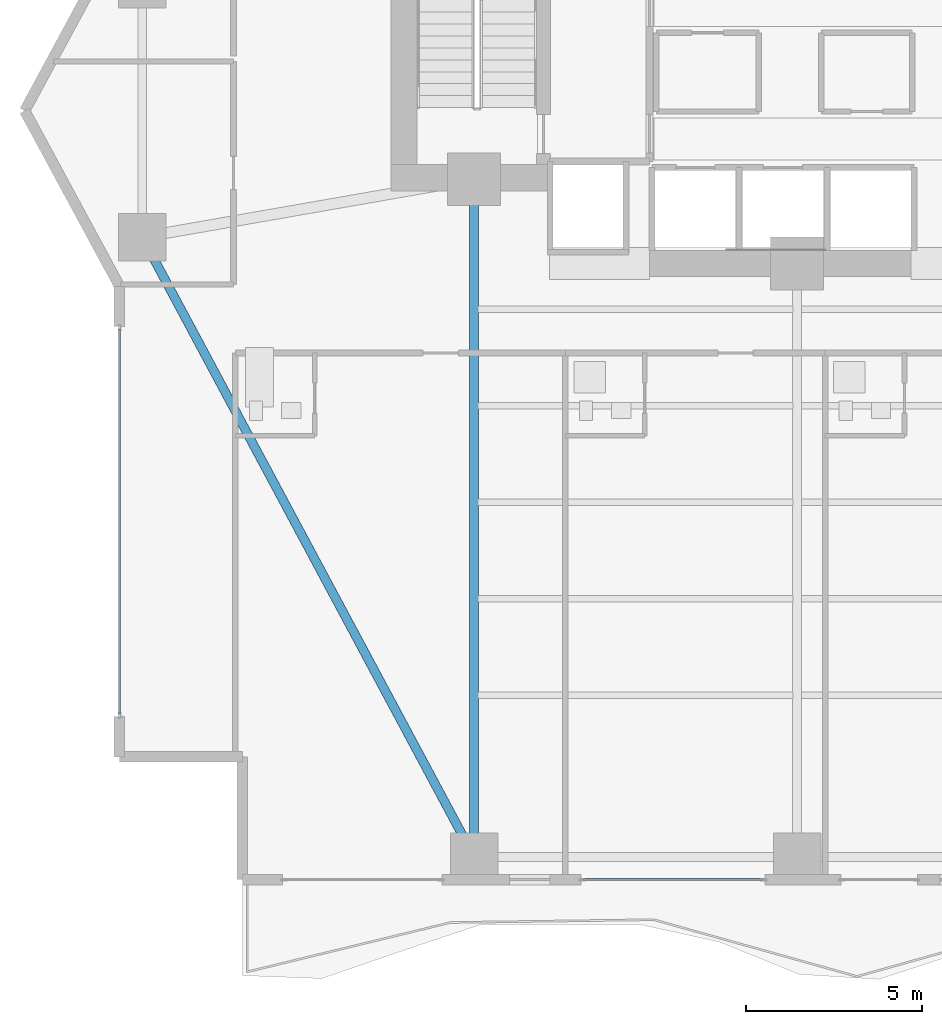
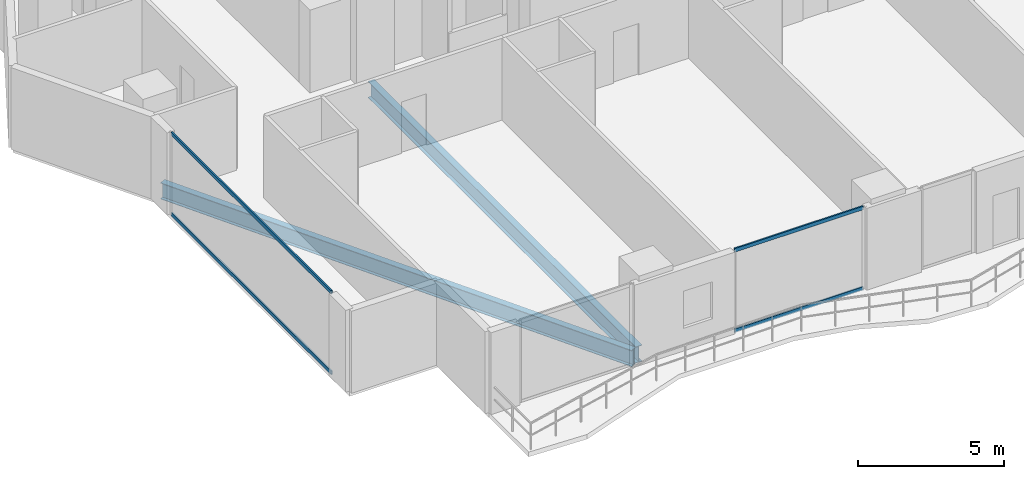
# One storey, part 3 of 27: 4 members, 2 beams, 2 elements without a shape of their own.
"""IFC4 building model written with IfcOpenShell, lengths in metres."""

from ifc_helpers import new_model, si_unit, direction, frame, origin, origin_2d, place, context, subcontext, project, spatial, hollow_rectangle, i_section, extrude, material, layer, layer_set, material_profile, profile_set, type_object, element, aggregate, save


model = new_model("IFC4")

# Units and contexts
model_context = context("Model", 3, precision=1e-05, world=origin(), true_north=direction((0.0, 1.0)))
body_context = subcontext(model_context, "Body", "Model", "MODEL_VIEW")
ifc_project = project(units=[si_unit("LENGTHUNIT", "METRE"), si_unit("AREAUNIT", "SQUARE_METRE"), si_unit("VOLUMEUNIT", "CUBIC_METRE"), si_unit("PLANEANGLEUNIT", "RADIAN"), si_unit("MASSUNIT", "GRAM", prefix="KILO")], contexts=[model_context])

# Site, building, storey
site_placement = place(None, origin())
site = spatial("IfcSite", under=ifc_project, at=site_placement, CompositionType="ELEMENT")
building_placement = place(site_placement, origin())
building = spatial("IfcBuilding", under=site, at=building_placement, Name="Zuhayl Quay Hotel", CompositionType="ELEMENT")
storey_placement = place(building_placement, frame((0.0, 0.0, 102.949951171875)))
storey = spatial("IfcBuildingStorey", under=building, at=storey_placement, Name="L25", CompositionType="ELEMENT", Elevation=102.949951171875)

# Beams
ifc_material_1 = material(Name="Steel ASTM A992 Grade 50", Category="steel")
ifc_material_profile_1 = material_profile(ifc_material_1, i_section(OverallWidth=0.25390625, OverallDepth=0.68310546875, WebThickness=0.012451171875, FlangeThickness=0.018798828125, at=origin_2d()), Name="W27X94")
ifc_profile_set_1 = profile_set([ifc_material_profile_1], Name="Steel ASTM A992 Grade 50")
beam_type = type_object("IfcBeamType", Name="BM_B2_W27X94", PredefinedType="BEAM", material=ifc_profile_set_1)
beam_1_placement = place(storey_placement, frame((-23.013916015625, 2.459228515625, -0.5615234375), z_axis=(0.472017301959, -0.88158928456, 0.0), x_axis=(0.88158928456, 0.472017301959, 0.0)))
element("IfcBeam", 1, at=beam_1_placement, inside=storey, type_object=beam_type, Name="L25 Floor Beam RG_L25_12", PredefinedType="BEAM", context=body_context, shape_type="SweptSolid", body=[
    extrude(i_section(OverallWidth=0.25390625, OverallDepth=0.68310546875, WebThickness=0.012451171875, FlangeThickness=0.018798828125, at=origin_2d()), origin(), (0.0, 0.0, 1.0), 19.0205078125),
])
beam_2_placement = place(storey_placement, frame((-13.800048828125, -14.25, -0.5615234375), z_axis=(0.0, 1.0, 0.0), x_axis=(-1.0, 0.0, 0.0)))
element("IfcBeam", 2, at=beam_2_placement, inside=storey, type_object=beam_type, Name="L25 Floor Beam FG_S_L25_1", PredefinedType="BEAM", context=body_context, shape_type="SweptSolid", body=[
    extrude(i_section(OverallWidth=0.25390625, OverallDepth=0.68310546875, WebThickness=0.012451171875, FlangeThickness=0.018798828125, at=origin_2d()), origin(), (0.0, 0.0, 1.0), 18.35009765625),
])

# Curtain wall, members
ifc_material_2 = material(Name="Anodised Aluminium 6063-T6", Category="aluminium")
ifc_layer = layer(ifc_material_2, 0.179931640625, Name="Anodised Aluminium 6063-T6", Category="aluminium")
ifc_layer_set = layer_set([ifc_layer], Name="Anodised Aluminium 6063-T6")
curtain_wall_type = type_object("IfcCurtainWallType", Name="CW_SYS_Z2", PredefinedType="USERDEFINED", material=ifc_layer_set)
curtain_wall_1_placement = place(storey_placement, origin())
curtain_wall_1 = element("IfcCurtainWall", 3, at=curtain_wall_1_placement, inside=storey, type_object=curtain_wall_type, Name="L25 Curtain Wall ENV_L25_E02_CW1", ObjectType="UNITISED CURTAIN WALL", PredefinedType="USERDEFINED")
ifc_material_3 = material(Name="Black-anodised aluminium 6063-T6", Category="aluminium")
ifc_material_profile_2 = material_profile(ifc_material_3, hollow_rectangle(XDim=0.06005859375, YDim=0.14990234375, WallThickness=0.00341796875, at=origin_2d()), Name="ALU150X60")
ifc_profile_set_2 = profile_set([ifc_material_profile_2], Name="Black-anodised aluminium 6063-T6")
member_type = type_object("IfcMemberType", Name="MB_CW_TRN_150", PredefinedType="USERDEFINED", material=ifc_profile_set_2)
member_1_placement = place(storey_placement, frame((-23.89990234375, -10.68505859375, 0.030029296875), z_axis=(0.0, 1.0, 0.0), x_axis=(-1.0, 0.0, 0.0)))
member_1 = element("IfcMember", 4, at=member_1_placement, type_object=member_type, Name="CW-Z2 transom 1.1", ObjectType="TRANSOM", PredefinedType="USERDEFINED", context=body_context, shape_type="SweptSolid", body=[
    extrude(hollow_rectangle(XDim=0.06005859375, YDim=0.14990234375, WallThickness=0.00341796875, at=origin_2d()), origin(), (0.0, 0.0, 1.0), 10.969970703125),
])
member_2_placement = place(storey_placement, frame((-23.89990234375, -10.68505859375, 3.400146484375), z_axis=(0.0, 1.0, 0.0), x_axis=(-1.0, 0.0, 0.0)))
member_2 = element("IfcMember", 5, at=member_2_placement, type_object=member_type, Name="CW-Z2 transom 1.2", ObjectType="TRANSOM", PredefinedType="USERDEFINED", context=body_context, shape_type="SweptSolid", body=[
    extrude(hollow_rectangle(XDim=0.06005859375, YDim=0.14990234375, WallThickness=0.00341796875, at=origin_2d()), origin(), (0.0, 0.0, 1.0), 10.969970703125),
])
aggregate(curtain_wall_1, [member_1, member_2])

curtain_wall_2_placement = place(storey_placement, origin())
curtain_wall_2 = element("IfcCurtainWall", 6, at=curtain_wall_2_placement, inside=storey, type_object=curtain_wall_type, Name="L25 Curtain Wall ENV_L25_S_CW5", ObjectType="UNITISED CURTAIN WALL", PredefinedType="USERDEFINED")
member_3_placement = place(storey_placement, frame((-5.5849609375, -15.39990234375, 0.030029296875), z_axis=(-1.0, 0.0, 0.0), x_axis=(0.0, -1.0, 0.0)))
member_3 = element("IfcMember", 7, at=member_3_placement, type_object=member_type, Name="CW-Z2 transom 1.1", ObjectType="TRANSOM", PredefinedType="USERDEFINED", context=body_context, shape_type="SweptSolid", body=[
    extrude(hollow_rectangle(XDim=0.06005859375, YDim=0.14990234375, WallThickness=0.00341796875, at=origin_2d()), origin(), (0.0, 0.0, 1.0), 5.10009765625),
])
member_4_placement = place(storey_placement, frame((-5.5849609375, -15.39990234375, 3.400146484375), z_axis=(-1.0, 0.0, 0.0), x_axis=(0.0, -1.0, 0.0)))
member_4 = element("IfcMember", 8, at=member_4_placement, type_object=member_type, Name="CW-Z2 transom 1.2", ObjectType="TRANSOM", PredefinedType="USERDEFINED", context=body_context, shape_type="SweptSolid", body=[
    extrude(hollow_rectangle(XDim=0.06005859375, YDim=0.14990234375, WallThickness=0.00341796875, at=origin_2d()), origin(), (0.0, 0.0, 1.0), 5.10009765625),
])
aggregate(curtain_wall_2, [member_3, member_4])

save(model, "model.ifc")
